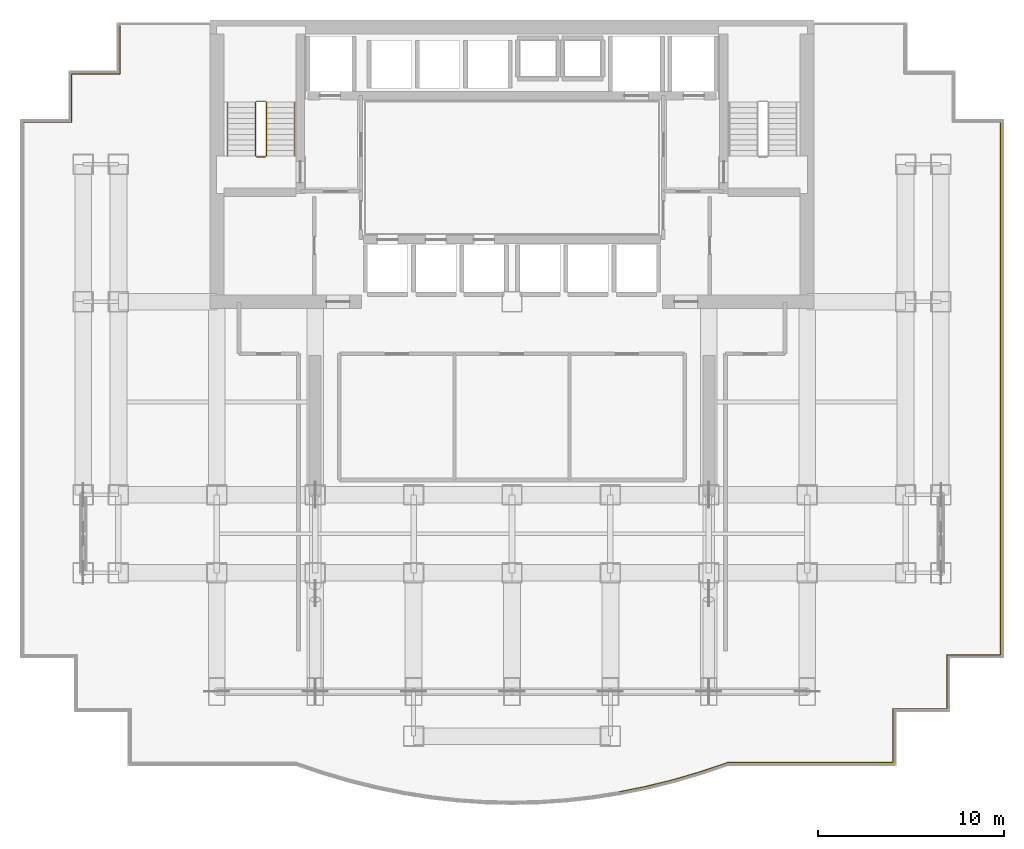
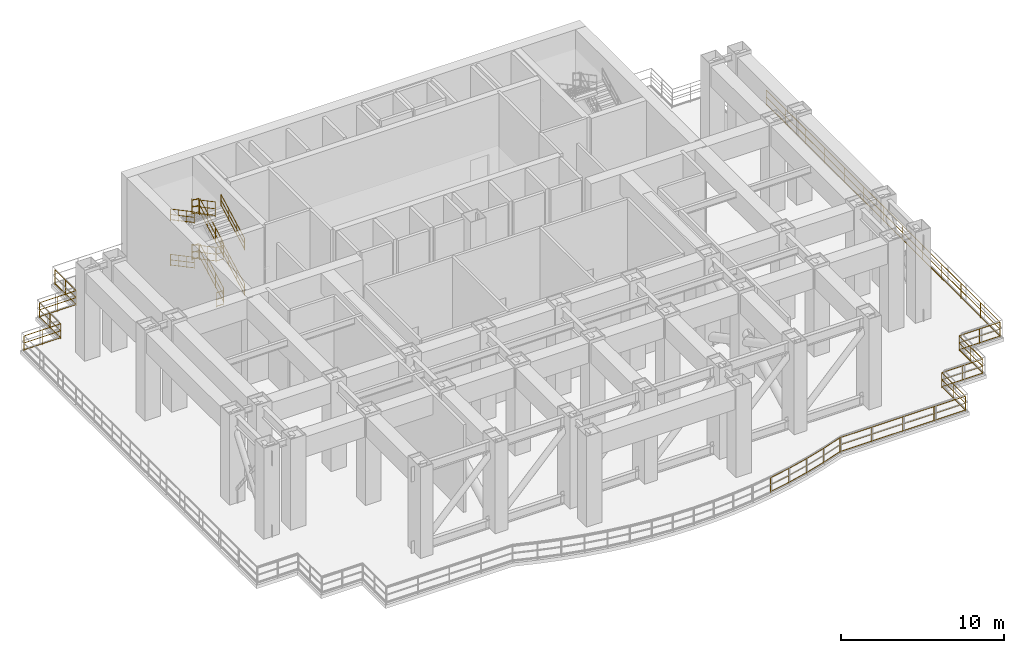
# One storey, part 6 of 7: 26 railings.
"""IFC4 building model written with IfcOpenShell, lengths in metres."""

from ifc_helpers import new_model, si_unit, direction, frame, origin, origin_2d, place, context, subcontext, project, spatial, circle, extrude, material, type_object, element, save


model = new_model("IFC4")

# Units and contexts
model_context = context("Model", 3, precision=1e-05, world=origin(), true_north=direction((0.0, 1.0)))
body_context = subcontext(model_context, "Body", "Model", "MODEL_VIEW")
ifc_project = project(units=[si_unit("LENGTHUNIT", "METRE"), si_unit("AREAUNIT", "SQUARE_METRE"), si_unit("VOLUMEUNIT", "CUBIC_METRE"), si_unit("PLANEANGLEUNIT", "RADIAN"), si_unit("MASSUNIT", "GRAM", prefix="KILO")], contexts=[model_context])

# Site, building, storey
site_placement = place(None, origin())
site = spatial("IfcSite", under=ifc_project, at=site_placement, CompositionType="ELEMENT")
building_placement = place(site_placement, origin())
building = spatial("IfcBuilding", under=site, at=building_placement, Name="Qianlan Lanfeng Residences", CompositionType="ELEMENT")
storey_placement = place(building_placement, frame((0.0, 0.0, 70.39990234375)))
storey = spatial("IfcBuildingStorey", under=building, at=storey_placement, Name="L19", CompositionType="ELEMENT", Elevation=70.39990234375)

# Railings
ifc_material_1 = material(Name="Painted Galvanised Steel Guardrail", Category="steel")
railing_type_1 = type_object("IfcRailingType", Name="GR-ST-1120", PredefinedType="GUARDRAIL", material=ifc_material_1)
railing_1_placement = place(storey_placement, frame((13.27001953125, 33.050048828125, 0.154541015625)))
element("IfcRailing", 1, at=railing_1_placement, inside=storey, type_object=railing_type_1, Name="L19 ST-1 stair guard 1", PredefinedType="GUARDRAIL", context=body_context, shape_type="SweptSolid", body=[
    extrude(circle(Radius=0.02392578125, at=origin_2d()), frame((0.0, 0.0, 0.083984375), z_axis=(0.0, 0.882474251534, 0.470360707734), x_axis=(-1.0, 0.0, 0.0)), (0.0, 0.0, 1.0), 3.2861328125),
    extrude(circle(Radius=0.02392578125, at=origin_2d()), frame((0.0, 0.0, 0.58251953125), z_axis=(0.0, 0.882474251534, 0.470360707734), x_axis=(-1.0, 0.0, 0.0)), (0.0, 0.0, 1.0), 3.2861328125),
    extrude(circle(Radius=0.02392578125, at=origin_2d()), frame((0.0, 0.0, 1.09619140625), z_axis=(0.0, 0.882474251534, 0.470360707734), x_axis=(-1.0, 0.0, 0.0)), (0.0, 0.0, 1.0), 3.2861328125),
    extrude(circle(Radius=0.02099609375, at=origin_2d()), origin(), (0.0, 0.0, 1.0), 1.072021484375),
    extrude(circle(Radius=0.02099609375, at=origin_2d()), frame((0.0, 0.966552734375, 0.51513671875)), (0.0, 0.0, 1.0), 1.072021484375),
    extrude(circle(Radius=0.02099609375, at=origin_2d()), frame((0.0, 1.933349609375, 1.030517578125)), (0.0, 0.0, 1.0), 1.072021484375),
    extrude(circle(Radius=0.02099609375, at=origin_2d()), frame((0.0, 2.89990234375, 1.545654296875)), (0.0, 0.0, 1.0), 1.072021484375),
])
railing_2_placement = place(storey_placement, frame((13.219970703125, 36.0, 1.7001953125)))
element("IfcRailing", 2, at=railing_2_placement, inside=storey, type_object=railing_type_1, Name="L19 ST-1 stair guard 2", PredefinedType="GUARDRAIL", context=body_context, shape_type="SweptSolid", body=[
    extrude(circle(Radius=0.02392578125, at=origin_2d()), frame((0.0, 0.0, 0.083984375), z_axis=(-1.0, 0.0, 0.0), x_axis=(0.0, -1.0, 0.0)), (0.0, 0.0, 1.0), 0.47998046875),
    extrude(circle(Radius=0.02392578125, at=origin_2d()), frame((0.0, 0.0, 0.58251953125), z_axis=(-1.0, 0.0, 0.0), x_axis=(0.0, -1.0, 0.0)), (0.0, 0.0, 1.0), 0.47998046875),
    extrude(circle(Radius=0.02392578125, at=origin_2d()), frame((0.0, 0.0, 1.09619140625), z_axis=(-1.0, 0.0, 0.0), x_axis=(0.0, -1.0, 0.0)), (0.0, 0.0, 1.0), 0.47998046875),
    extrude(circle(Radius=0.02099609375, at=origin_2d()), origin(), (0.0, 0.0, 1.0), 1.072021484375),
    extrude(circle(Radius=0.02099609375, at=origin_2d()), frame((-0.47998046875, 0.0, 0.0)), (0.0, 0.0, 1.0), 1.072021484375),
])
railing_3_placement = place(storey_placement, frame((12.68994140625, 35.949951171875, 1.854736328125)))
element("IfcRailing", 3, at=railing_3_placement, inside=storey, type_object=railing_type_1, Name="L19 ST-1 stair guard 3", PredefinedType="GUARDRAIL", context=body_context, shape_type="SweptSolid", body=[
    extrude(circle(Radius=0.02392578125, at=origin_2d()), frame((0.0, 0.0, 0.083984375), z_axis=(0.0, -0.882505089112, 0.470302846782), x_axis=(1.0, 0.0, 0.0)), (0.0, 0.0, 1.0), 3.285888671875),
    extrude(circle(Radius=0.02392578125, at=origin_2d()), frame((0.0, 0.0, 0.58251953125), z_axis=(0.0, -0.882505089112, 0.470302846782), x_axis=(1.0, 0.0, 0.0)), (0.0, 0.0, 1.0), 3.285888671875),
    extrude(circle(Radius=0.02392578125, at=origin_2d()), frame((0.0, 0.0, 1.09619140625), z_axis=(0.0, -0.882505089112, 0.470302846782), x_axis=(1.0, 0.0, 0.0)), (0.0, 0.0, 1.0), 3.285888671875),
    extrude(circle(Radius=0.02099609375, at=origin_2d()), origin(), (0.0, 0.0, 1.0), 1.072021484375),
    extrude(circle(Radius=0.02099609375, at=origin_2d()), frame((0.0, -0.966552734375, 0.51513671875)), (0.0, 0.0, 1.0), 1.072021484375),
    extrude(circle(Radius=0.02099609375, at=origin_2d()), frame((0.0, -1.933349609375, 1.0302734375)), (0.0, 0.0, 1.0), 1.072021484375),
    extrude(circle(Radius=0.02099609375, at=origin_2d()), frame((0.0, -2.89990234375, 1.54541015625)), (0.0, 0.0, 1.0), 1.072021484375),
])
railing_4_placement = place(storey_placement, frame((13.219970703125, 33.0, 3.400146484375)))
element("IfcRailing", 4, at=railing_4_placement, inside=storey, type_object=railing_type_1, Name="L19 ST-1 stair guard 4", PredefinedType="GUARDRAIL", context=body_context, shape_type="SweptSolid", body=[
    extrude(circle(Radius=0.02392578125, at=origin_2d()), frame((0.0, 0.0, 0.083984375), z_axis=(-1.0, 0.0, 0.0), x_axis=(0.0, -1.0, 0.0)), (0.0, 0.0, 1.0), 0.47998046875),
    extrude(circle(Radius=0.02392578125, at=origin_2d()), frame((0.0, 0.0, 0.58251953125), z_axis=(-1.0, 0.0, 0.0), x_axis=(0.0, -1.0, 0.0)), (0.0, 0.0, 1.0), 0.47998046875),
    extrude(circle(Radius=0.02392578125, at=origin_2d()), frame((0.0, 0.0, 1.09619140625), z_axis=(-1.0, 0.0, 0.0), x_axis=(0.0, -1.0, 0.0)), (0.0, 0.0, 1.0), 0.47998046875),
    extrude(circle(Radius=0.02099609375, at=origin_2d()), origin(), (0.0, 0.0, 1.0), 1.072021484375),
    extrude(circle(Radius=0.02099609375, at=origin_2d()), frame((-0.47998046875, 0.0, 0.0)), (0.0, 0.0, 1.0), 1.072021484375),
])
railing_5_placement = place(storey_placement, frame((13.27001953125, 33.050048828125, 3.5546875)))
element("IfcRailing", 5, at=railing_5_placement, inside=storey, type_object=railing_type_1, Name="L19 ST-1 stair guard 5", PredefinedType="GUARDRAIL", context=body_context, shape_type="SweptSolid", body=[
    extrude(circle(Radius=0.02392578125, at=origin_2d()), frame((0.0, 0.0, 0.083984375), z_axis=(0.0, 0.882505089112, 0.470302846782), x_axis=(-1.0, 0.0, 0.0)), (0.0, 0.0, 1.0), 3.285888671875),
    extrude(circle(Radius=0.02392578125, at=origin_2d()), frame((0.0, 0.0, 0.58251953125), z_axis=(0.0, 0.882505089112, 0.470302846782), x_axis=(-1.0, 0.0, 0.0)), (0.0, 0.0, 1.0), 3.285888671875),
    extrude(circle(Radius=0.02392578125, at=origin_2d()), frame((0.0, 0.0, 1.09619140625), z_axis=(0.0, 0.882505089112, 0.470302846782), x_axis=(-1.0, 0.0, 0.0)), (0.0, 0.0, 1.0), 3.285888671875),
    extrude(circle(Radius=0.02099609375, at=origin_2d()), origin(), (0.0, 0.0, 1.0), 1.072021484375),
    extrude(circle(Radius=0.02099609375, at=origin_2d()), frame((0.0, 0.966552734375, 0.51513671875)), (0.0, 0.0, 1.0), 1.072021484375),
    extrude(circle(Radius=0.02099609375, at=origin_2d()), frame((0.0, 1.933349609375, 1.0302734375)), (0.0, 0.0, 1.0), 1.072021484375),
    extrude(circle(Radius=0.02099609375, at=origin_2d()), frame((0.0, 2.89990234375, 1.54541015625)), (0.0, 0.0, 1.0), 1.072021484375),
])
railing_6_placement = place(storey_placement, frame((13.219970703125, 36.0, 5.10009765625)))
element("IfcRailing", 6, at=railing_6_placement, inside=storey, type_object=railing_type_1, Name="L19 ST-1 stair guard 6", PredefinedType="GUARDRAIL", context=body_context, shape_type="SweptSolid", body=[
    extrude(circle(Radius=0.02392578125, at=origin_2d()), frame((0.0, 0.0, 0.083984375), z_axis=(-1.0, 0.0, 0.0), x_axis=(0.0, -1.0, 0.0)), (0.0, 0.0, 1.0), 0.47998046875),
    extrude(circle(Radius=0.02392578125, at=origin_2d()), frame((0.0, 0.0, 0.58251953125), z_axis=(-1.0, 0.0, 0.0), x_axis=(0.0, -1.0, 0.0)), (0.0, 0.0, 1.0), 0.47998046875),
    extrude(circle(Radius=0.02392578125, at=origin_2d()), frame((0.0, 0.0, 1.09619140625), z_axis=(-1.0, 0.0, 0.0), x_axis=(0.0, -1.0, 0.0)), (0.0, 0.0, 1.0), 0.47998046875),
    extrude(circle(Radius=0.02099609375, at=origin_2d()), origin(), (0.0, 0.0, 1.0), 1.072021484375),
    extrude(circle(Radius=0.02099609375, at=origin_2d()), frame((-0.47998046875, 0.0, 0.0)), (0.0, 0.0, 1.0), 1.072021484375),
])
railing_7_placement = place(storey_placement, frame((12.68994140625, 35.949951171875, 5.254638671875)))
element("IfcRailing", 7, at=railing_7_placement, inside=storey, type_object=railing_type_1, Name="L19 ST-1 stair guard 7", PredefinedType="GUARDRAIL", context=body_context, shape_type="SweptSolid", body=[
    extrude(circle(Radius=0.02392578125, at=origin_2d()), frame((0.0, 0.0, 0.083984375), z_axis=(0.0, -0.882505089112, 0.470302846782), x_axis=(1.0, 0.0, 0.0)), (0.0, 0.0, 1.0), 3.285888671875),
    extrude(circle(Radius=0.02392578125, at=origin_2d()), frame((0.0, 0.0, 0.58251953125), z_axis=(0.0, -0.882505089112, 0.470302846782), x_axis=(1.0, 0.0, 0.0)), (0.0, 0.0, 1.0), 3.285888671875),
    extrude(circle(Radius=0.02392578125, at=origin_2d()), frame((0.0, 0.0, 1.09619140625), z_axis=(0.0, -0.882505089112, 0.470302846782), x_axis=(1.0, 0.0, 0.0)), (0.0, 0.0, 1.0), 3.285888671875),
    extrude(circle(Radius=0.02099609375, at=origin_2d()), origin(), (0.0, 0.0, 1.0), 1.072021484375),
    extrude(circle(Radius=0.02099609375, at=origin_2d()), frame((0.0, -0.966552734375, 0.51513671875)), (0.0, 0.0, 1.0), 1.072021484375),
    extrude(circle(Radius=0.02099609375, at=origin_2d()), frame((0.0, -1.933349609375, 1.0302734375)), (0.0, 0.0, 1.0), 1.072021484375),
    extrude(circle(Radius=0.02099609375, at=origin_2d()), frame((0.0, -2.89990234375, 1.54541015625)), (0.0, 0.0, 1.0), 1.072021484375),
])
railing_8_placement = place(storey_placement, frame((13.219970703125, 33.0, 0.0)))
element("IfcRailing", 8, at=railing_8_placement, inside=storey, type_object=railing_type_1, Name="L19 ST-1 stair guard 8", PredefinedType="GUARDRAIL", context=body_context, shape_type="SweptSolid", body=[
    extrude(circle(Radius=0.02392578125, at=origin_2d()), frame((0.0, 0.0, 0.083984375), z_axis=(-1.0, 0.0, 0.0), x_axis=(0.0, -1.0, 0.0)), (0.0, 0.0, 1.0), 0.47998046875),
    extrude(circle(Radius=0.02392578125, at=origin_2d()), frame((0.0, 0.0, 0.58251953125), z_axis=(-1.0, 0.0, 0.0), x_axis=(0.0, -1.0, 0.0)), (0.0, 0.0, 1.0), 0.47998046875),
    extrude(circle(Radius=0.02392578125, at=origin_2d()), frame((0.0, 0.0, 1.09619140625), z_axis=(-1.0, 0.0, 0.0), x_axis=(0.0, -1.0, 0.0)), (0.0, 0.0, 1.0), 0.47998046875),
    extrude(circle(Radius=0.02099609375, at=origin_2d()), origin(), (0.0, 0.0, 1.0), 1.072021484375),
    extrude(circle(Radius=0.02099609375, at=origin_2d()), frame((-0.47998046875, 0.0, 0.0)), (0.0, 0.0, 1.0), 1.072021484375),
])
railing_9_placement = place(storey_placement, frame((0.179931640625, 34.8701171875, 0.0)))
element("IfcRailing", 9, at=railing_9_placement, inside=storey, type_object=railing_type_1, Name="L19 Wind-Slot Open Perimeter Guardrail 2", PredefinedType="GUARDRAIL", context=body_context, shape_type="SweptSolid", body=[
    extrude(circle(Radius=0.02392578125, at=origin_2d()), frame((0.0, 0.0, 0.083984375), z_axis=(1.0, 0.0, 0.0), x_axis=(0.0, 1.0, 0.0)), (0.0, 0.0, 1.0), 2.60009765625),
    extrude(circle(Radius=0.02392578125, at=origin_2d()), frame((0.0, 0.0, 0.597900390625), z_axis=(1.0, 0.0, 0.0), x_axis=(0.0, 1.0, 0.0)), (0.0, 0.0, 1.0), 2.60009765625),
    extrude(circle(Radius=0.02392578125, at=origin_2d()), frame((0.0, 0.0, 1.1259765625), z_axis=(1.0, 0.0, 0.0), x_axis=(0.0, 1.0, 0.0)), (0.0, 0.0, 1.0), 2.60009765625),
    extrude(circle(Radius=0.02099609375, at=origin_2d()), origin(), (0.0, 0.0, 1.0), 1.101806640625),
    extrude(circle(Radius=0.02099609375, at=origin_2d()), frame((1.300048828125, 0.0, 0.0)), (0.0, 0.0, 1.0), 1.101806640625),
    extrude(circle(Radius=0.02099609375, at=origin_2d()), frame((2.60009765625, 0.0, 0.0)), (0.0, 0.0, 1.0), 1.101806640625),
])
railing_10_placement = place(storey_placement, frame((2.780029296875, 34.8701171875, 0.0)))
element("IfcRailing", 10, at=railing_10_placement, inside=storey, type_object=railing_type_1, Name="L19 Wind-Slot Open Perimeter Guardrail 3", PredefinedType="GUARDRAIL", context=body_context, shape_type="SweptSolid", body=[
    extrude(circle(Radius=0.02392578125, at=origin_2d()), frame((0.0, 0.0, 0.083984375), z_axis=(0.0, 1.0, 0.0), x_axis=(-1.0, 0.0, 0.0)), (0.0, 0.0, 1.0), 2.599853515625),
    extrude(circle(Radius=0.02392578125, at=origin_2d()), frame((0.0, 0.0, 0.597900390625), z_axis=(0.0, 1.0, 0.0), x_axis=(-1.0, 0.0, 0.0)), (0.0, 0.0, 1.0), 2.599853515625),
    extrude(circle(Radius=0.02392578125, at=origin_2d()), frame((0.0, 0.0, 1.1259765625), z_axis=(0.0, 1.0, 0.0), x_axis=(-1.0, 0.0, 0.0)), (0.0, 0.0, 1.0), 2.599853515625),
    extrude(circle(Radius=0.02099609375, at=origin_2d()), origin(), (0.0, 0.0, 1.0), 1.101806640625),
    extrude(circle(Radius=0.02099609375, at=origin_2d()), frame((0.0, 1.2998046875, 0.0)), (0.0, 0.0, 1.0), 1.101806640625),
    extrude(circle(Radius=0.02099609375, at=origin_2d()), frame((0.0, 2.599853515625, 0.0)), (0.0, 0.0, 1.0), 1.101806640625),
])
railing_11_placement = place(storey_placement, frame((2.780029296875, 37.469970703125, 0.0)))
element("IfcRailing", 11, at=railing_11_placement, inside=storey, type_object=railing_type_1, Name="L19 Wind-Slot Open Perimeter Guardrail 4", PredefinedType="GUARDRAIL", context=body_context, shape_type="SweptSolid", body=[
    extrude(circle(Radius=0.02392578125, at=origin_2d()), frame((0.0, 0.0, 0.083984375), z_axis=(1.0, 0.0, 0.0), x_axis=(0.0, 1.0, 0.0)), (0.0, 0.0, 1.0), 2.599853515625),
    extrude(circle(Radius=0.02392578125, at=origin_2d()), frame((0.0, 0.0, 0.597900390625), z_axis=(1.0, 0.0, 0.0), x_axis=(0.0, 1.0, 0.0)), (0.0, 0.0, 1.0), 2.599853515625),
    extrude(circle(Radius=0.02392578125, at=origin_2d()), frame((0.0, 0.0, 1.1259765625), z_axis=(1.0, 0.0, 0.0), x_axis=(0.0, 1.0, 0.0)), (0.0, 0.0, 1.0), 2.599853515625),
    extrude(circle(Radius=0.02099609375, at=origin_2d()), origin(), (0.0, 0.0, 1.0), 1.101806640625),
    extrude(circle(Radius=0.02099609375, at=origin_2d()), frame((1.2998046875, 0.0, 0.0)), (0.0, 0.0, 1.0), 1.101806640625),
    extrude(circle(Radius=0.02099609375, at=origin_2d()), frame((2.599853515625, 0.0, 0.0)), (0.0, 0.0, 1.0), 1.101806640625),
])
railing_12_placement = place(storey_placement, frame((5.3798828125, 37.469970703125, 0.0)))
element("IfcRailing", 12, at=railing_12_placement, inside=storey, type_object=railing_type_1, Name="L19 Wind-Slot Open Perimeter Guardrail 5", PredefinedType="GUARDRAIL", context=body_context, shape_type="SweptSolid", body=[
    extrude(circle(Radius=0.02392578125, at=origin_2d()), frame((0.0, 0.0, 0.083984375), z_axis=(0.0, 1.0, 0.0), x_axis=(-1.0, 0.0, 0.0)), (0.0, 0.0, 1.0), 2.60009765625),
    extrude(circle(Radius=0.02392578125, at=origin_2d()), frame((0.0, 0.0, 0.597900390625), z_axis=(0.0, 1.0, 0.0), x_axis=(-1.0, 0.0, 0.0)), (0.0, 0.0, 1.0), 2.60009765625),
    extrude(circle(Radius=0.02392578125, at=origin_2d()), frame((0.0, 0.0, 1.1259765625), z_axis=(0.0, 1.0, 0.0), x_axis=(-1.0, 0.0, 0.0)), (0.0, 0.0, 1.0), 2.60009765625),
    extrude(circle(Radius=0.02099609375, at=origin_2d()), origin(), (0.0, 0.0, 1.0), 1.101806640625),
    extrude(circle(Radius=0.02099609375, at=origin_2d()), frame((0.0, 1.300048828125, 0.0)), (0.0, 0.0, 1.0), 1.101806640625),
    extrude(circle(Radius=0.02099609375, at=origin_2d()), frame((0.0, 2.60009765625, 0.0)), (0.0, 0.0, 1.0), 1.101806640625),
])
railing_13_placement = place(storey_placement, frame((52.820068359375, 34.8701171875, 0.0)))
element("IfcRailing", 13, at=railing_13_placement, inside=storey, type_object=railing_type_1, Name="L19 Wind-Slot Open Perimeter Guardrail 10", PredefinedType="GUARDRAIL", context=body_context, shape_type="SweptSolid", body=[
    extrude(circle(Radius=0.02392578125, at=origin_2d()), frame((0.0, 0.0, 0.083984375), z_axis=(0.0, -1.0, 0.0), x_axis=(1.0, 0.0, 0.0)), (0.0, 0.0, 1.0), 28.690185546875),
    extrude(circle(Radius=0.02392578125, at=origin_2d()), frame((0.0, 0.0, 0.597900390625), z_axis=(0.0, -1.0, 0.0), x_axis=(1.0, 0.0, 0.0)), (0.0, 0.0, 1.0), 28.690185546875),
    extrude(circle(Radius=0.02392578125, at=origin_2d()), frame((0.0, 0.0, 1.1259765625), z_axis=(0.0, -1.0, 0.0), x_axis=(1.0, 0.0, 0.0)), (0.0, 0.0, 1.0), 28.690185546875),
    extrude(circle(Radius=0.02099609375, at=origin_2d()), origin(), (0.0, 0.0, 1.0), 1.101806640625),
    extrude(circle(Radius=0.02099609375, at=origin_2d()), frame((0.0, -2.390869140625, 0.0)), (0.0, 0.0, 1.0), 1.101806640625),
    extrude(circle(Radius=0.02099609375, at=origin_2d()), frame((0.0, -4.78173828125, 0.0)), (0.0, 0.0, 1.0), 1.101806640625),
    extrude(circle(Radius=0.02099609375, at=origin_2d()), frame((0.0, -7.172607421875, 0.0)), (0.0, 0.0, 1.0), 1.101806640625),
    extrude(circle(Radius=0.02099609375, at=origin_2d()), frame((0.0, -9.5634765625, 0.0)), (0.0, 0.0, 1.0), 1.101806640625),
    extrude(circle(Radius=0.02099609375, at=origin_2d()), frame((0.0, -11.954345703125, 0.0)), (0.0, 0.0, 1.0), 1.101806640625),
    extrude(circle(Radius=0.02099609375, at=origin_2d()), frame((0.0, -14.34521484375, 0.0)), (0.0, 0.0, 1.0), 1.101806640625),
    extrude(circle(Radius=0.02099609375, at=origin_2d()), frame((0.0, -16.73583984375, 0.0)), (0.0, 0.0, 1.0), 1.101806640625),
    extrude(circle(Radius=0.02099609375, at=origin_2d()), frame((0.0, -19.126708984375, 0.0)), (0.0, 0.0, 1.0), 1.101806640625),
    extrude(circle(Radius=0.02099609375, at=origin_2d()), frame((0.0, -21.517578125, 0.0)), (0.0, 0.0, 1.0), 1.101806640625),
    extrude(circle(Radius=0.02099609375, at=origin_2d()), frame((0.0, -23.908447265625, 0.0)), (0.0, 0.0, 1.0), 1.101806640625),
    extrude(circle(Radius=0.02099609375, at=origin_2d()), frame((0.0, -26.29931640625, 0.0)), (0.0, 0.0, 1.0), 1.101806640625),
    extrude(circle(Radius=0.02099609375, at=origin_2d()), frame((0.0, -28.690185546875, 0.0)), (0.0, 0.0, 1.0), 1.101806640625),
])
railing_14_placement = place(storey_placement, frame((52.820068359375, 6.179931640625, 0.0)))
element("IfcRailing", 14, at=railing_14_placement, inside=storey, type_object=railing_type_1, Name="L19 Wind-Slot Open Perimeter Guardrail 11", PredefinedType="GUARDRAIL", context=body_context, shape_type="SweptSolid", body=[
    extrude(circle(Radius=0.02392578125, at=origin_2d()), frame((0.0, 0.0, 0.083984375), z_axis=(-1.0, 0.0, 0.0), x_axis=(0.0, -1.0, 0.0)), (0.0, 0.0, 1.0), 2.900146484375),
    extrude(circle(Radius=0.02392578125, at=origin_2d()), frame((0.0, 0.0, 0.597900390625), z_axis=(-1.0, 0.0, 0.0), x_axis=(0.0, -1.0, 0.0)), (0.0, 0.0, 1.0), 2.900146484375),
    extrude(circle(Radius=0.02392578125, at=origin_2d()), frame((0.0, 0.0, 1.1259765625), z_axis=(-1.0, 0.0, 0.0), x_axis=(0.0, -1.0, 0.0)), (0.0, 0.0, 1.0), 2.900146484375),
    extrude(circle(Radius=0.02099609375, at=origin_2d()), origin(), (0.0, 0.0, 1.0), 1.101806640625),
    extrude(circle(Radius=0.02099609375, at=origin_2d()), frame((-1.4501953125, 0.0, 0.0)), (0.0, 0.0, 1.0), 1.101806640625),
    extrude(circle(Radius=0.02099609375, at=origin_2d()), frame((-2.900146484375, 0.0, 0.0)), (0.0, 0.0, 1.0), 1.101806640625),
])
railing_15_placement = place(storey_placement, frame((49.919921875, 6.179931640625, 0.0)))
element("IfcRailing", 15, at=railing_15_placement, inside=storey, type_object=railing_type_1, Name="L19 Wind-Slot Open Perimeter Guardrail 12", PredefinedType="GUARDRAIL", context=body_context, shape_type="SweptSolid", body=[
    extrude(circle(Radius=0.02392578125, at=origin_2d()), frame((0.0, 0.0, 0.083984375), z_axis=(0.0, -1.0, 0.0), x_axis=(1.0, 0.0, 0.0)), (0.0, 0.0, 1.0), 2.89990234375),
    extrude(circle(Radius=0.02392578125, at=origin_2d()), frame((0.0, 0.0, 0.597900390625), z_axis=(0.0, -1.0, 0.0), x_axis=(1.0, 0.0, 0.0)), (0.0, 0.0, 1.0), 2.89990234375),
    extrude(circle(Radius=0.02392578125, at=origin_2d()), frame((0.0, 0.0, 1.1259765625), z_axis=(0.0, -1.0, 0.0), x_axis=(1.0, 0.0, 0.0)), (0.0, 0.0, 1.0), 2.89990234375),
    extrude(circle(Radius=0.02099609375, at=origin_2d()), origin(), (0.0, 0.0, 1.0), 1.101806640625),
    extrude(circle(Radius=0.02099609375, at=origin_2d()), frame((0.0, -1.449951171875, 0.0)), (0.0, 0.0, 1.0), 1.101806640625),
    extrude(circle(Radius=0.02099609375, at=origin_2d()), frame((0.0, -2.89990234375, 0.0)), (0.0, 0.0, 1.0), 1.101806640625),
])
railing_16_placement = place(storey_placement, frame((49.919921875, 3.280029296875, 0.0)))
element("IfcRailing", 16, at=railing_16_placement, inside=storey, type_object=railing_type_1, Name="L19 Wind-Slot Open Perimeter Guardrail 13", PredefinedType="GUARDRAIL", context=body_context, shape_type="SweptSolid", body=[
    extrude(circle(Radius=0.02392578125, at=origin_2d()), frame((0.0, 0.0, 0.083984375), z_axis=(-1.0, 0.0, 0.0), x_axis=(0.0, -1.0, 0.0)), (0.0, 0.0, 1.0), 2.89990234375),
    extrude(circle(Radius=0.02392578125, at=origin_2d()), frame((0.0, 0.0, 0.597900390625), z_axis=(-1.0, 0.0, 0.0), x_axis=(0.0, -1.0, 0.0)), (0.0, 0.0, 1.0), 2.89990234375),
    extrude(circle(Radius=0.02392578125, at=origin_2d()), frame((0.0, 0.0, 1.1259765625), z_axis=(-1.0, 0.0, 0.0), x_axis=(0.0, -1.0, 0.0)), (0.0, 0.0, 1.0), 2.89990234375),
    extrude(circle(Radius=0.02099609375, at=origin_2d()), origin(), (0.0, 0.0, 1.0), 1.101806640625),
    extrude(circle(Radius=0.02099609375, at=origin_2d()), frame((-1.449951171875, 0.0, 0.0)), (0.0, 0.0, 1.0), 1.101806640625),
    extrude(circle(Radius=0.02099609375, at=origin_2d()), frame((-2.89990234375, 0.0, 0.0)), (0.0, 0.0, 1.0), 1.101806640625),
])
railing_17_placement = place(storey_placement, frame((47.02001953125, 3.280029296875, 0.0)))
element("IfcRailing", 17, at=railing_17_placement, inside=storey, type_object=railing_type_1, Name="L19 Wind-Slot Open Perimeter Guardrail 14", PredefinedType="GUARDRAIL", context=body_context, shape_type="SweptSolid", body=[
    extrude(circle(Radius=0.02392578125, at=origin_2d()), frame((0.0, 0.0, 0.083984375), z_axis=(0.0, -1.0, 0.0), x_axis=(1.0, 0.0, 0.0)), (0.0, 0.0, 1.0), 2.900146484375),
    extrude(circle(Radius=0.02392578125, at=origin_2d()), frame((0.0, 0.0, 0.597900390625), z_axis=(0.0, -1.0, 0.0), x_axis=(1.0, 0.0, 0.0)), (0.0, 0.0, 1.0), 2.900146484375),
    extrude(circle(Radius=0.02392578125, at=origin_2d()), frame((0.0, 0.0, 1.1259765625), z_axis=(0.0, -1.0, 0.0), x_axis=(1.0, 0.0, 0.0)), (0.0, 0.0, 1.0), 2.900146484375),
    extrude(circle(Radius=0.02099609375, at=origin_2d()), origin(), (0.0, 0.0, 1.0), 1.101806640625),
    extrude(circle(Radius=0.02099609375, at=origin_2d()), frame((0.0, -1.4501953125, 0.0)), (0.0, 0.0, 1.0), 1.101806640625),
    extrude(circle(Radius=0.02099609375, at=origin_2d()), frame((0.0, -2.900146484375, 0.0)), (0.0, 0.0, 1.0), 1.101806640625),
])
railing_18_placement = place(storey_placement, frame((47.02001953125, 0.3798828125, 0.0)))
element("IfcRailing", 18, at=railing_18_placement, inside=storey, type_object=railing_type_1, Name="L19 Wind-Slot Open Perimeter Guardrail 15", PredefinedType="GUARDRAIL", context=body_context, shape_type="SweptSolid", body=[
    extrude(circle(Radius=0.02392578125, at=origin_2d()), frame((0.0, 0.0, 0.083984375), z_axis=(-1.0, 0.0, 0.0), x_axis=(0.0, -1.0, 0.0)), (0.0, 0.0, 1.0), 8.89990234375),
    extrude(circle(Radius=0.02392578125, at=origin_2d()), frame((0.0, 0.0, 0.597900390625), z_axis=(-1.0, 0.0, 0.0), x_axis=(0.0, -1.0, 0.0)), (0.0, 0.0, 1.0), 8.89990234375),
    extrude(circle(Radius=0.02392578125, at=origin_2d()), frame((0.0, 0.0, 1.1259765625), z_axis=(-1.0, 0.0, 0.0), x_axis=(0.0, -1.0, 0.0)), (0.0, 0.0, 1.0), 8.89990234375),
    extrude(circle(Radius=0.02099609375, at=origin_2d()), origin(), (0.0, 0.0, 1.0), 1.101806640625),
    extrude(circle(Radius=0.02099609375, at=origin_2d()), frame((-2.22509765625, 0.0, 0.0)), (0.0, 0.0, 1.0), 1.101806640625),
    extrude(circle(Radius=0.02099609375, at=origin_2d()), frame((-4.449951171875, 0.0, 0.0)), (0.0, 0.0, 1.0), 1.101806640625),
    extrude(circle(Radius=0.02099609375, at=origin_2d()), frame((-6.6748046875, 0.0, 0.0)), (0.0, 0.0, 1.0), 1.101806640625),
    extrude(circle(Radius=0.02099609375, at=origin_2d()), frame((-8.89990234375, 0.0, 0.0)), (0.0, 0.0, 1.0), 1.101806640625),
])
railing_19_placement = place(storey_placement, frame((38.1201171875, 0.3798828125, 0.0)))
element("IfcRailing", 19, at=railing_19_placement, inside=storey, type_object=railing_type_1, Name="L19 Wind-Slot Open Perimeter Guardrail 16", PredefinedType="GUARDRAIL", context=body_context, shape_type="SweptSolid", body=[
    extrude(circle(Radius=0.02392578125, at=origin_2d()), frame((0.0, 0.0, 0.083984375), z_axis=(-0.947409985433, -0.32002237344, 0.0), x_axis=(0.32002237344, -0.947409985433, 0.0)), (0.0, 0.0, 1.0), 1.5625),
    extrude(circle(Radius=0.02392578125, at=origin_2d()), frame((0.0, 0.0, 0.597900390625), z_axis=(-0.947409985433, -0.32002237344, 0.0), x_axis=(0.32002237344, -0.947409985433, 0.0)), (0.0, 0.0, 1.0), 1.5625),
    extrude(circle(Radius=0.02392578125, at=origin_2d()), frame((0.0, 0.0, 1.1259765625), z_axis=(-0.947409985433, -0.32002237344, 0.0), x_axis=(0.32002237344, -0.947409985433, 0.0)), (0.0, 0.0, 1.0), 1.5625),
    extrude(circle(Radius=0.02099609375, at=origin_2d()), origin(), (0.0, 0.0, 1.0), 1.101806640625),
    extrude(circle(Radius=0.02099609375, at=origin_2d()), frame((-1.480224609375, -0.5, 0.0)), (0.0, 0.0, 1.0), 1.101806640625),
])
railing_20_placement = place(storey_placement, frame((36.639892578125, -0.1201171875, 0.0)))
element("IfcRailing", 20, at=railing_20_placement, inside=storey, type_object=railing_type_1, Name="L19 Wind-Slot Open Perimeter Guardrail 17", PredefinedType="GUARDRAIL", context=body_context, shape_type="SweptSolid", body=[
    extrude(circle(Radius=0.02392578125, at=origin_2d()), frame((0.0, 0.0, 0.083984375), z_axis=(-0.959660872492, -0.281160114184, 0.0), x_axis=(0.281160114184, -0.959660872492, 0.0)), (0.0, 0.0, 1.0), 1.510986328125),
    extrude(circle(Radius=0.02392578125, at=origin_2d()), frame((0.0, 0.0, 0.597900390625), z_axis=(-0.959660872492, -0.281160114184, 0.0), x_axis=(0.281160114184, -0.959660872492, 0.0)), (0.0, 0.0, 1.0), 1.510986328125),
    extrude(circle(Radius=0.02392578125, at=origin_2d()), frame((0.0, 0.0, 1.1259765625), z_axis=(-0.959660872492, -0.281160114184, 0.0), x_axis=(0.281160114184, -0.959660872492, 0.0)), (0.0, 0.0, 1.0), 1.510986328125),
    extrude(circle(Radius=0.02099609375, at=origin_2d()), origin(), (0.0, 0.0, 1.0), 1.101806640625),
    extrude(circle(Radius=0.02099609375, at=origin_2d()), frame((-1.449951171875, -0.4248046875, 0.0)), (0.0, 0.0, 1.0), 1.101806640625),
])
railing_21_placement = place(storey_placement, frame((35.18994140625, -0.544921875, 0.0)))
element("IfcRailing", 21, at=railing_21_placement, inside=storey, type_object=railing_type_1, Name="L19 Wind-Slot Open Perimeter Guardrail 18", PredefinedType="GUARDRAIL", context=body_context, shape_type="SweptSolid", body=[
    extrude(circle(Radius=0.02392578125, at=origin_2d()), frame((0.0, 0.0, 0.083984375), z_axis=(-0.970631145867, -0.240572605825, 0.0), x_axis=(0.240572605825, -0.970631145867, 0.0)), (0.0, 0.0, 1.0), 1.492919921875),
    extrude(circle(Radius=0.02392578125, at=origin_2d()), frame((0.0, 0.0, 0.597900390625), z_axis=(-0.970631145867, -0.240572605825, 0.0), x_axis=(0.240572605825, -0.970631145867, 0.0)), (0.0, 0.0, 1.0), 1.492919921875),
    extrude(circle(Radius=0.02392578125, at=origin_2d()), frame((0.0, 0.0, 1.1259765625), z_axis=(-0.970631145867, -0.240572605825, 0.0), x_axis=(0.240572605825, -0.970631145867, 0.0)), (0.0, 0.0, 1.0), 1.492919921875),
    extrude(circle(Radius=0.02099609375, at=origin_2d()), origin(), (0.0, 0.0, 1.0), 1.101806640625),
    extrude(circle(Radius=0.02099609375, at=origin_2d()), frame((-1.448974609375, -0.359130859375, 0.0)), (0.0, 0.0, 1.0), 1.101806640625),
])
railing_22_placement = place(storey_placement, frame((33.740966796875, -0.904052734375, 0.0)))
element("IfcRailing", 22, at=railing_22_placement, inside=storey, type_object=railing_type_1, Name="L19 Wind-Slot Open Perimeter Guardrail 19", PredefinedType="GUARDRAIL", context=body_context, shape_type="SweptSolid", body=[
    extrude(circle(Radius=0.02392578125, at=origin_2d()), frame((0.0, 0.0, 0.083984375), z_axis=(-0.980010984121, -0.198943386424, 0.0), x_axis=(0.198943386424, -0.980010984121, 0.0)), (0.0, 0.0, 1.0), 1.4775390625),
    extrude(circle(Radius=0.02392578125, at=origin_2d()), frame((0.0, 0.0, 0.597900390625), z_axis=(-0.980010984121, -0.198943386424, 0.0), x_axis=(0.198943386424, -0.980010984121, 0.0)), (0.0, 0.0, 1.0), 1.4775390625),
    extrude(circle(Radius=0.02392578125, at=origin_2d()), frame((0.0, 0.0, 1.1259765625), z_axis=(-0.980010984121, -0.198943386424, 0.0), x_axis=(0.198943386424, -0.980010984121, 0.0)), (0.0, 0.0, 1.0), 1.4775390625),
    extrude(circle(Radius=0.02099609375, at=origin_2d()), origin(), (0.0, 0.0, 1.0), 1.101806640625),
    extrude(circle(Radius=0.02099609375, at=origin_2d()), frame((-1.447998046875, -0.2939453125, 0.0)), (0.0, 0.0, 1.0), 1.101806640625),
])
ifc_material_2 = material(Name="Brushed Stainless Steel Handrail", Category="steel")
railing_type_2 = type_object("IfcRailingType", Name="HR-ST-920", PredefinedType="HANDRAIL", material=ifc_material_2)
railing_23_placement = place(storey_placement, frame((14.77001953125, 33.050048828125, 0.154541015625)))
element("IfcRailing", 23, at=railing_23_placement, inside=storey, type_object=railing_type_2, Name="L19 ST-1 stair handrail 1", PredefinedType="HANDRAIL", context=body_context, shape_type="SweptSolid", body=[
    extrude(circle(Radius=0.02392578125, at=origin_2d()), frame((0.0, 0.0, 0.083984375), z_axis=(0.0, 0.882474251534, 0.470360707734), x_axis=(-1.0, 0.0, 0.0)), (0.0, 0.0, 1.0), 3.2861328125),
    extrude(circle(Radius=0.02392578125, at=origin_2d()), frame((0.0, 0.0, 0.468017578125), z_axis=(0.0, 0.882474251534, 0.470360707734), x_axis=(-1.0, 0.0, 0.0)), (0.0, 0.0, 1.0), 3.2861328125),
    extrude(circle(Radius=0.02392578125, at=origin_2d()), frame((0.0, 0.0, 0.8759765625), z_axis=(0.0, 0.882474251534, 0.470360707734), x_axis=(-1.0, 0.0, 0.0)), (0.0, 0.0, 1.0), 3.2861328125),
    extrude(circle(Radius=0.02099609375, at=origin_2d()), origin(), (0.0, 0.0, 1.0), 0.851806640625),
    extrude(circle(Radius=0.02099609375, at=origin_2d()), frame((0.0, 0.966552734375, 0.51513671875)), (0.0, 0.0, 1.0), 0.851806640625),
    extrude(circle(Radius=0.02099609375, at=origin_2d()), frame((0.0, 1.933349609375, 1.030517578125)), (0.0, 0.0, 1.0), 0.851806640625),
    extrude(circle(Radius=0.02099609375, at=origin_2d()), frame((0.0, 2.89990234375, 1.545654296875)), (0.0, 0.0, 1.0), 0.851806640625),
])
railing_24_placement = place(storey_placement, frame((11.18994140625, 35.949951171875, 1.854736328125)))
element("IfcRailing", 24, at=railing_24_placement, inside=storey, type_object=railing_type_2, Name="L19 ST-1 stair handrail 2", PredefinedType="HANDRAIL", context=body_context, shape_type="SweptSolid", body=[
    extrude(circle(Radius=0.02392578125, at=origin_2d()), frame((0.0, 0.0, 0.083984375), z_axis=(0.0, -0.882505089112, 0.470302846782), x_axis=(1.0, 0.0, 0.0)), (0.0, 0.0, 1.0), 3.285888671875),
    extrude(circle(Radius=0.02392578125, at=origin_2d()), frame((0.0, 0.0, 0.468017578125), z_axis=(0.0, -0.882505089112, 0.470302846782), x_axis=(1.0, 0.0, 0.0)), (0.0, 0.0, 1.0), 3.285888671875),
    extrude(circle(Radius=0.02392578125, at=origin_2d()), frame((0.0, 0.0, 0.8759765625), z_axis=(0.0, -0.882505089112, 0.470302846782), x_axis=(1.0, 0.0, 0.0)), (0.0, 0.0, 1.0), 3.285888671875),
    extrude(circle(Radius=0.02099609375, at=origin_2d()), origin(), (0.0, 0.0, 1.0), 0.851806640625),
    extrude(circle(Radius=0.02099609375, at=origin_2d()), frame((0.0, -0.966552734375, 0.51513671875)), (0.0, 0.0, 1.0), 0.851806640625),
    extrude(circle(Radius=0.02099609375, at=origin_2d()), frame((0.0, -1.933349609375, 1.0302734375)), (0.0, 0.0, 1.0), 0.851806640625),
    extrude(circle(Radius=0.02099609375, at=origin_2d()), frame((0.0, -2.89990234375, 1.54541015625)), (0.0, 0.0, 1.0), 0.851806640625),
])
railing_25_placement = place(storey_placement, frame((14.77001953125, 33.050048828125, 3.5546875)))
element("IfcRailing", 25, at=railing_25_placement, inside=storey, type_object=railing_type_2, Name="L19 ST-1 stair handrail 3", PredefinedType="HANDRAIL", context=body_context, shape_type="SweptSolid", body=[
    extrude(circle(Radius=0.02392578125, at=origin_2d()), frame((0.0, 0.0, 0.083984375), z_axis=(0.0, 0.882505089112, 0.470302846782), x_axis=(-1.0, 0.0, 0.0)), (0.0, 0.0, 1.0), 3.285888671875),
    extrude(circle(Radius=0.02392578125, at=origin_2d()), frame((0.0, 0.0, 0.468017578125), z_axis=(0.0, 0.882505089112, 0.470302846782), x_axis=(-1.0, 0.0, 0.0)), (0.0, 0.0, 1.0), 3.285888671875),
    extrude(circle(Radius=0.02392578125, at=origin_2d()), frame((0.0, 0.0, 0.8759765625), z_axis=(0.0, 0.882505089112, 0.470302846782), x_axis=(-1.0, 0.0, 0.0)), (0.0, 0.0, 1.0), 3.285888671875),
    extrude(circle(Radius=0.02099609375, at=origin_2d()), origin(), (0.0, 0.0, 1.0), 0.851806640625),
    extrude(circle(Radius=0.02099609375, at=origin_2d()), frame((0.0, 0.966552734375, 0.51513671875)), (0.0, 0.0, 1.0), 0.851806640625),
    extrude(circle(Radius=0.02099609375, at=origin_2d()), frame((0.0, 1.933349609375, 1.0302734375)), (0.0, 0.0, 1.0), 0.851806640625),
    extrude(circle(Radius=0.02099609375, at=origin_2d()), frame((0.0, 2.89990234375, 1.54541015625)), (0.0, 0.0, 1.0), 0.851806640625),
])
railing_26_placement = place(storey_placement, frame((11.18994140625, 35.949951171875, 5.254638671875)))
element("IfcRailing", 26, at=railing_26_placement, inside=storey, type_object=railing_type_2, Name="L19 ST-1 stair handrail 4", PredefinedType="HANDRAIL", context=body_context, shape_type="SweptSolid", body=[
    extrude(circle(Radius=0.02392578125, at=origin_2d()), frame((0.0, 0.0, 0.083984375), z_axis=(0.0, -0.882505089112, 0.470302846782), x_axis=(1.0, 0.0, 0.0)), (0.0, 0.0, 1.0), 3.285888671875),
    extrude(circle(Radius=0.02392578125, at=origin_2d()), frame((0.0, 0.0, 0.468017578125), z_axis=(0.0, -0.882505089112, 0.470302846782), x_axis=(1.0, 0.0, 0.0)), (0.0, 0.0, 1.0), 3.285888671875),
    extrude(circle(Radius=0.02392578125, at=origin_2d()), frame((0.0, 0.0, 0.8759765625), z_axis=(0.0, -0.882505089112, 0.470302846782), x_axis=(1.0, 0.0, 0.0)), (0.0, 0.0, 1.0), 3.285888671875),
    extrude(circle(Radius=0.02099609375, at=origin_2d()), origin(), (0.0, 0.0, 1.0), 0.851806640625),
    extrude(circle(Radius=0.02099609375, at=origin_2d()), frame((0.0, -0.966552734375, 0.51513671875)), (0.0, 0.0, 1.0), 0.851806640625),
    extrude(circle(Radius=0.02099609375, at=origin_2d()), frame((0.0, -1.933349609375, 1.0302734375)), (0.0, 0.0, 1.0), 0.851806640625),
    extrude(circle(Radius=0.02099609375, at=origin_2d()), frame((0.0, -2.89990234375, 1.54541015625)), (0.0, 0.0, 1.0), 0.851806640625),
])

save(model, "model.ifc")
